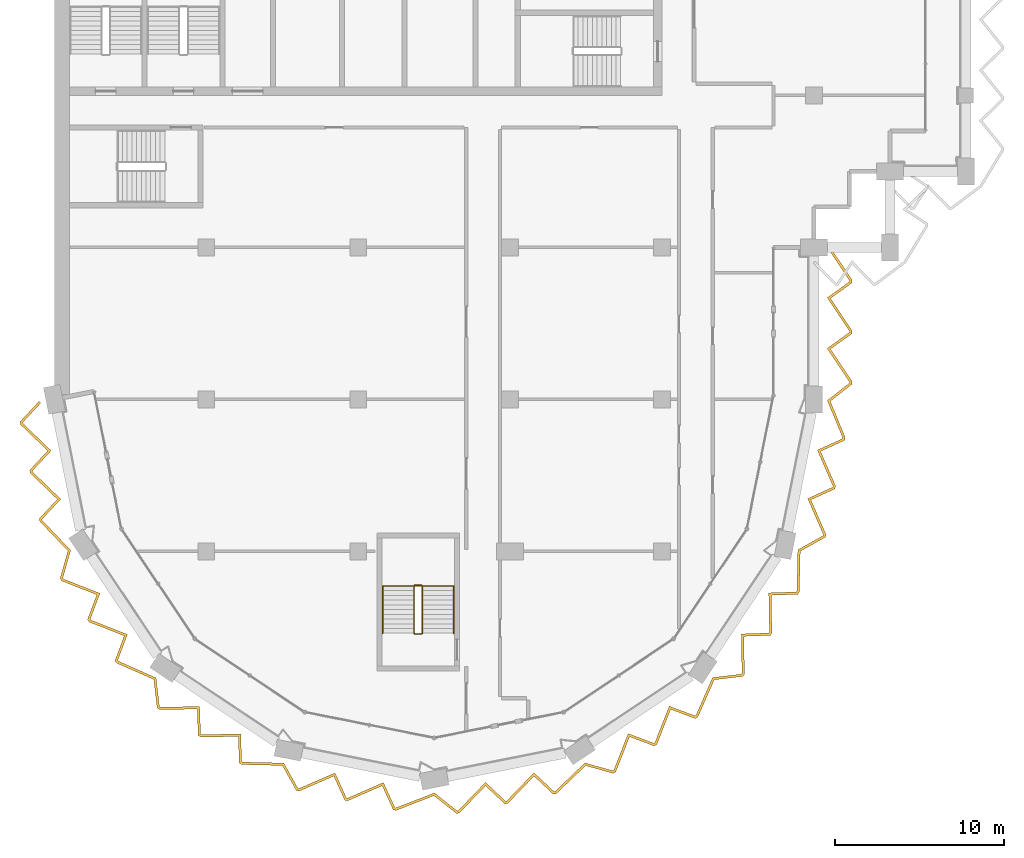
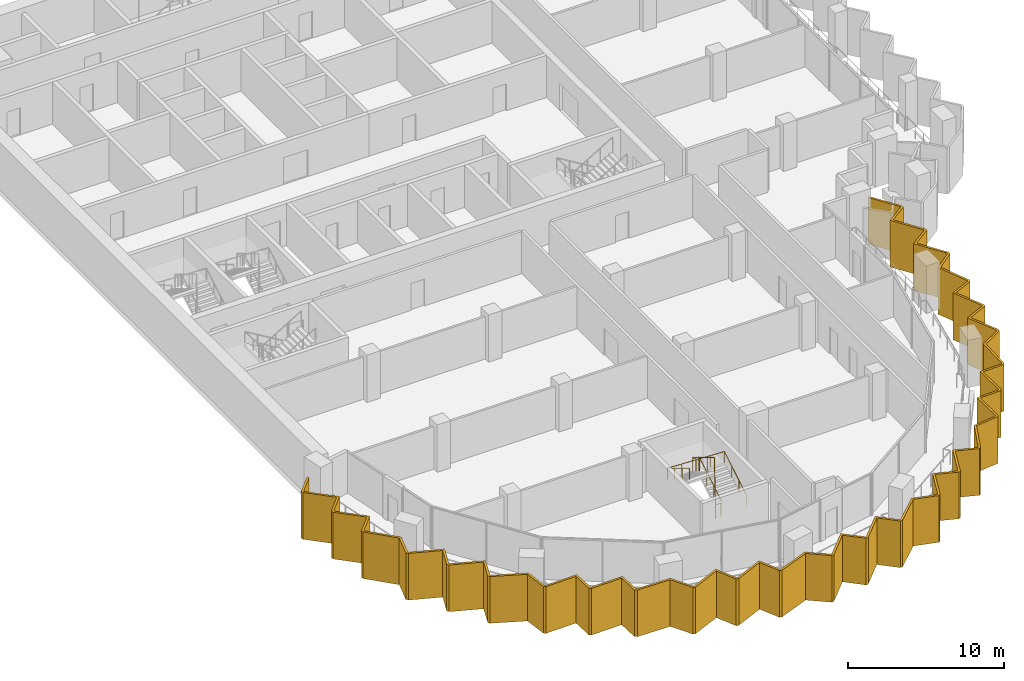
# One storey, part 13 of 16: 2 railings, 1 shading device.
"""IFC4 building model written with IfcOpenShell, lengths in metres."""

from ifc_helpers import new_model, si_unit, direction, frame, origin, origin_2d, place, context, subcontext, project, spatial, polyline, circle, outline, extrude, material, layer, layer_set, type_object, element, save


model = new_model("IFC4")

# Units and contexts
model_context = context("Model", 3, precision=1e-05, world=origin(), true_north=direction((0.0, 1.0)))
body_context = subcontext(model_context, "Body", "Model", "MODEL_VIEW")
ifc_project = project(units=[si_unit("LENGTHUNIT", "METRE"), si_unit("AREAUNIT", "SQUARE_METRE"), si_unit("VOLUMEUNIT", "CUBIC_METRE"), si_unit("PLANEANGLEUNIT", "RADIAN"), si_unit("MASSUNIT", "GRAM", prefix="KILO")], contexts=[model_context])

# Site, building, storey
site_placement = place(None, origin())
site = spatial("IfcSite", under=ifc_project, at=site_placement, CompositionType="ELEMENT")
building_placement = place(site_placement, origin())
building = spatial("IfcBuilding", under=site, at=building_placement, Name="Hunhe Ridgeline Campus", CompositionType="ELEMENT")
storey_placement = place(building_placement, frame((0.0, 0.0, 235.5)))
storey = spatial("IfcBuildingStorey", under=building, at=storey_placement, Name="L60", CompositionType="ELEMENT", Elevation=235.5)

# Shading device
ifc_material_1 = material(Name="Concrete C50", Category="concrete")
ifc_layer = layer(ifc_material_1, 0.14990234375)
ifc_layer_set = layer_set([ifc_layer], Name="Sawtooth concrete fin 150 Concrete C50")
shading_device_type = type_object("IfcShadingDeviceType", Name="Sawtooth concrete fin 150 Concrete C50", PredefinedType="USERDEFINED", material=ifc_layer_set)
shading_device_placement = place(storey_placement, frame((0.0, 0.0, -0.949951171875)))
element("IfcShadingDevice", 1, at=shading_device_placement, inside=storey, type_object=shading_device_type, Name="Concrete fin screen 1", ObjectType="FIN", PredefinedType="USERDEFINED", context=body_context, shape_type="SweptSolid", body=[
    extrude(outline(polyline([(-0.803466796875, 44.778076171875), (-0.9130859375, 44.88037109375), (-2.03173828125, 43.681640625), (-1.996337890625, 43.503173828125), (-0.392333984375, 41.956298828125), (-1.4609375, 40.8115234375), (-1.425537109375, 40.633056640625), (0.178466796875, 39.086181640625), (-0.89013671875, 37.94140625), (-0.85498046875, 37.7646484375), (0.8046875, 36.02734375), (0.342041015625, 34.390869140625), (0.441162109375, 34.242919921875), (2.514892578125, 33.427490234375), (1.9658203125, 31.9609375), (2.06689453125, 31.8095703125), (4.140625, 30.994384765625), (3.591552734375, 29.52783203125), (3.691650390625, 29.3779296875), (5.889892578125, 28.407958984375), (6.088623046875, 26.718994140625), (6.23681640625, 26.6201171875), (8.46484375, 26.660400390625), (8.518798828125, 25.095458984375), (8.669921875, 24.994384765625), (10.89794921875, 25.03466796875), (10.951904296875, 23.469482421875), (11.101806640625, 23.369384765625), (13.503662109375, 23.314453125), (14.333740234375, 21.830322265625), (14.508544921875, 21.795654296875), (16.55126953125, 22.685302734375), (17.2001953125, 21.260009765625), (17.378662109375, 21.224609375), (19.42138671875, 22.114501953125), (20.0703125, 20.689208984375), (20.2470703125, 20.654052734375), (22.487060546875, 21.5224609375), (23.822021484375, 20.468994140625), (23.996826171875, 20.503662109375), (25.543701171875, 22.107666015625), (26.6884765625, 21.0390625), (26.866943359375, 21.074462890625), (28.413818359375, 22.678466796875), (29.55859375, 21.60986328125), (29.7353515625, 21.64501953125), (31.47265625, 23.3046875), (33.109130859375, 22.842041015625), (33.257080078125, 22.941162109375), (34.072509765625, 25.014892578125), (35.5390625, 24.4658203125), (35.6904296875, 24.56689453125), (36.505615234375, 26.640625), (37.97216796875, 26.091552734375), (38.1220703125, 26.191650390625), (39.092041015625, 28.389892578125), (40.781005859375, 28.588623046875), (40.8798828125, 28.73681640625), (40.839599609375, 30.96484375), (42.404541015625, 31.018798828125), (42.505615234375, 31.169921875), (42.46533203125, 33.39794921875), (44.030517578125, 33.451904296875), (44.130615234375, 33.601806640625), (44.185546875, 36.003662109375), (45.669677734375, 36.833740234375), (45.704345703125, 37.008544921875), (44.814697265625, 39.05126953125), (46.239990234375, 39.7001953125), (46.275390625, 39.878662109375), (45.385498046875, 41.92138671875), (46.810791015625, 42.5703125), (46.84619140625, 42.747802734375), (45.9658203125, 44.889892578125), (47.25, 45.8984375), (47.25, 46.077880859375), (45.9775390625, 47.9814453125), (47.25, 48.896484375), (47.25, 49.077880859375), (45.9775390625, 50.9814453125), (47.25, 51.896484375), (47.25, 52.077880859375), (45.937255859375, 54.041748046875), (45.812744140625, 53.958251953125), (47.10009765625, 52.0322265625), (47.10009765625, 51.973388671875), (45.7724609375, 51.0185546875), (47.10009765625, 49.0322265625), (47.10009765625, 48.973388671875), (45.7724609375, 48.0185546875), (47.10009765625, 46.0322265625), (47.10009765625, 45.971435546875), (45.7841796875, 44.937744140625), (46.690185546875, 42.732666015625), (46.6787109375, 42.675048828125), (45.18896484375, 41.996826171875), (46.119140625, 39.86181640625), (46.107666015625, 39.8046875), (44.6181640625, 39.126708984375), (45.548095703125, 36.99169921875), (45.5361328125, 36.930908203125), (44.03759765625, 36.0927734375), (43.981689453125, 33.64892578125), (43.948486328125, 33.59912109375), (42.312744140625, 33.542724609375), (42.35498046875, 31.21435546875), (42.322509765625, 31.166015625), (40.68701171875, 31.109619140625), (40.72900390625, 28.781005859375), (40.694580078125, 28.7294921875), (38.989501953125, 28.52880859375), (38.00244140625, 26.292236328125), (37.952880859375, 26.259033203125), (36.420166015625, 26.832763671875), (35.56787109375, 24.66552734375), (35.51953125, 24.63330078125), (33.98681640625, 25.20703125), (33.134765625, 23.039794921875), (33.083251953125, 23.00537109375), (31.430908203125, 23.472412109375), (29.663330078125, 21.78369140625), (29.604736328125, 21.77197265625), (28.408203125, 22.888671875), (26.79150390625, 21.21240234375), (26.734619140625, 21.201171875), (25.5380859375, 22.31787109375), (23.92138671875, 20.6416015625), (23.860595703125, 20.62939453125), (22.512939453125, 21.693359375), (20.2333984375, 20.8095703125), (20.175048828125, 20.8212890625), (19.496826171875, 22.31103515625), (17.36181640625, 21.380859375), (17.3046875, 21.392333984375), (16.626708984375, 22.8818359375), (14.49169921875, 21.951904296875), (14.430908203125, 21.9638671875), (13.5927734375, 23.46240234375), (11.14892578125, 23.518310546875), (11.09912109375, 23.551513671875), (11.042724609375, 25.187255859375), (8.71435546875, 25.14501953125), (8.666015625, 25.177490234375), (8.609619140625, 26.81298828125), (6.281005859375, 26.77099609375), (6.2294921875, 26.805419921875), (6.02880859375, 28.510498046875), (3.792236328125, 29.49755859375), (3.759033203125, 29.547119140625), (4.332763671875, 31.079833984375), (2.16552734375, 31.93212890625), (2.13330078125, 31.98046875), (2.70703125, 33.51318359375), (0.539794921875, 34.365234375), (0.50537109375, 34.416748046875), (0.972412109375, 36.069091796875), (-0.71630859375, 37.836669921875), (-0.72802734375, 37.895263671875), (0.388671875, 39.091796875), (-1.28759765625, 40.70849609375), (-1.298828125, 40.765380859375), (-0.18212890625, 41.9619140625), (-1.8583984375, 43.57861328125), (-1.86962890625, 43.635498046875), (-0.803466796875, 44.778076171875)])), origin(), (0.0, 0.0, 1.0), 3.64990234375),
])

# Railings
ifc_material_2 = material(Name="Stainless steel balustrade", Category="steel")
railing_type_1 = type_object("IfcRailingType", Name="Stair guard 1100 stainless", PredefinedType="GUARDRAIL", material=ifc_material_2)
railing_1_placement = place(storey_placement, frame((21.800048828125, 31.14990234375, 0.168212890625)))
element("IfcRailing", 2, at=railing_1_placement, inside=storey, type_object=railing_type_1, Name="L60 stair W3 guard", PredefinedType="GUARDRAIL", context=body_context, shape_type="SweptSolid", body=[
    extrude(circle(Radius=0.02392578125, at=origin_2d()), frame((0.0, 0.0, 1.076171875), z_axis=(0.0, 0.857242210791, 0.514913383045), x_axis=(-1.0, 0.0, 0.0)), (0.0, 0.0, 1.0), 3.266357421875),
    extrude(circle(Radius=0.02392578125, at=origin_2d()), frame((0.0, 2.800048828125, 2.7578125), z_axis=(-0.707106781187, 0.707106781187, 0.0), x_axis=(-0.707106781187, -0.707106781187, 0.0)), (0.0, 0.0, 1.0), 0.07080078125),
    extrude(circle(Radius=0.02392578125, at=origin_2d()), frame((-0.050048828125, 2.85009765625, 2.7578125), z_axis=(-1.0, 0.0, 0.0), x_axis=(0.0, -1.0, 0.0)), (0.0, 0.0, 1.0), 0.39990234375),
    extrude(circle(Radius=0.02392578125, at=origin_2d()), frame((-0.449951171875, 2.85009765625, 2.7578125), z_axis=(-0.274582412415, -0.274582412415, 0.921525364591), x_axis=(0.707106781187, -0.707106781187, 0.0)), (0.0, 0.0, 1.0), 0.182373046875),
    extrude(circle(Radius=0.02392578125, at=origin_2d()), frame((-0.5, 2.800048828125, 2.92578125), z_axis=(0.0, -0.857242210791, 0.514913383045), x_axis=(1.0, 0.0, 0.0)), (0.0, 0.0, 1.0), 3.266357421875),
    extrude(circle(Radius=0.02392578125, at=origin_2d()), frame((-0.5, 0.0, 4.60791015625), z_axis=(0.013524426427, -0.013458453615, -0.999817963389), x_axis=(0.705375805398, 0.708833529934, 0.0)), (0.0, 0.0, 1.0), 3.70068359375),
    extrude(circle(Radius=0.02392578125, at=origin_2d()), frame((-0.449951171875, -0.0498046875, 0.90771484375), z_axis=(1.0, 0.0, 0.0), x_axis=(0.0, 1.0, 0.0)), (0.0, 0.0, 1.0), 0.39990234375),
    extrude(circle(Radius=0.02099609375, at=origin_2d()), origin(), (0.0, 0.0, 1.0), 1.052001953125),
    extrude(circle(Radius=0.02099609375, at=origin_2d()), frame((0.0, 0.933349609375, 0.560546875)), (0.0, 0.0, 1.0), 1.052001953125),
    extrude(circle(Radius=0.02099609375, at=origin_2d()), frame((0.0, 1.86669921875, 1.121337890625)), (0.0, 0.0, 1.0), 1.052001953125),
    extrude(circle(Radius=0.02099609375, at=origin_2d()), frame((0.0, 2.800048828125, 1.681884765625)), (0.0, 0.0, 1.0), 1.052001953125),
    extrude(circle(Radius=0.02099609375, at=origin_2d()), frame((-0.050048828125, 2.85009765625, 1.681884765625)), (0.0, 0.0, 1.0), 1.052001953125),
    extrude(circle(Radius=0.02099609375, at=origin_2d()), frame((-0.449951171875, 2.85009765625, 1.681884765625)), (0.0, 0.0, 1.0), 1.052001953125),
    extrude(circle(Radius=0.02099609375, at=origin_2d()), frame((-0.5, 2.800048828125, 1.849853515625)), (0.0, 0.0, 1.0), 1.052001953125),
    extrude(circle(Radius=0.02099609375, at=origin_2d()), frame((-0.5, 1.86669921875, 2.410400390625)), (0.0, 0.0, 1.0), 1.052001953125),
    extrude(circle(Radius=0.02099609375, at=origin_2d()), frame((-0.5, 0.933349609375, 2.97119140625)), (0.0, 0.0, 1.0), 1.052001953125),
    extrude(circle(Radius=0.02099609375, at=origin_2d()), frame((-0.5, 0.0, 3.53173828125)), (0.0, 0.0, 1.0), 1.052001953125),
    extrude(circle(Radius=0.02099609375, at=origin_2d()), frame((-0.487548828125, -0.012451171875, 2.606689453125)), (0.0, 0.0, 1.0), 1.052001953125),
    extrude(circle(Radius=0.02099609375, at=origin_2d()), frame((-0.47509765625, -0.02490234375, 1.681640625)), (0.0, 0.0, 1.0), 1.052001953125),
    extrude(circle(Radius=0.02099609375, at=origin_2d()), frame((-0.46240234375, -0.037353515625, 0.7568359375)), (0.0, 0.0, 1.0), 1.052001953125),
    extrude(circle(Radius=0.02099609375, at=origin_2d()), frame((-0.449951171875, -0.0498046875, -0.168212890625)), (0.0, 0.0, 1.0), 1.052001953125),
    extrude(circle(Radius=0.02099609375, at=origin_2d()), frame((-0.050048828125, -0.0498046875, -0.168212890625)), (0.0, 0.0, 1.0), 1.052001953125),
])
ifc_material_3 = material(Name="Stainless steel handrail", Category="steel")
railing_type_2 = type_object("IfcRailingType", Name="Stair handrail 900 stainless", PredefinedType="HANDRAIL", material=ifc_material_3)
railing_2_placement = place(storey_placement, frame((23.64990234375, 31.14990234375, 0.168212890625)))
element("IfcRailing", 3, at=railing_2_placement, inside=storey, type_object=railing_type_2, Name="L60 stair W3 handrail", PredefinedType="HANDRAIL", context=body_context, shape_type="SweptSolid", body=[
    extrude(circle(Radius=0.02392578125, at=origin_2d()), frame((0.0, 0.0, 0.8759765625), z_axis=(0.0, 0.857242210791, 0.514913383045), x_axis=(-1.0, 0.0, 0.0)), (0.0, 0.0, 1.0), 3.266357421875),
    extrude(circle(Radius=0.02392578125, at=origin_2d()), frame((0.0, 2.800048828125, 2.5576171875), z_axis=(-0.99920123705, 0.0, 0.039961079526), x_axis=(0.0, -1.0, 0.0)), (0.0, 0.0, 1.0), 4.203369140625),
    extrude(circle(Radius=0.02392578125, at=origin_2d()), frame((-4.199951171875, 2.800048828125, 2.7255859375), z_axis=(0.0, -0.857242210791, 0.514913383045), x_axis=(1.0, 0.0, 0.0)), (0.0, 0.0, 1.0), 3.266357421875),
    extrude(circle(Radius=0.02099609375, at=origin_2d()), origin(), (0.0, 0.0, 1.0), 0.851806640625),
    extrude(circle(Radius=0.02099609375, at=origin_2d()), frame((0.0, 0.933349609375, 0.560546875)), (0.0, 0.0, 1.0), 0.851806640625),
    extrude(circle(Radius=0.02099609375, at=origin_2d()), frame((0.0, 1.86669921875, 1.121337890625)), (0.0, 0.0, 1.0), 0.851806640625),
    extrude(circle(Radius=0.02099609375, at=origin_2d()), frame((0.0, 2.800048828125, 1.681884765625)), (0.0, 0.0, 1.0), 0.851806640625),
    extrude(circle(Radius=0.02099609375, at=origin_2d()), frame((-1.050048828125, 2.800048828125, 1.723876953125)), (0.0, 0.0, 1.0), 0.851806640625),
    extrude(circle(Radius=0.02099609375, at=origin_2d()), frame((-2.10009765625, 2.800048828125, 1.765869140625)), (0.0, 0.0, 1.0), 0.851806640625),
    extrude(circle(Radius=0.02099609375, at=origin_2d()), frame((-3.14990234375, 2.800048828125, 1.807861328125)), (0.0, 0.0, 1.0), 0.851806640625),
    extrude(circle(Radius=0.02099609375, at=origin_2d()), frame((-4.199951171875, 2.800048828125, 1.849853515625)), (0.0, 0.0, 1.0), 0.851806640625),
    extrude(circle(Radius=0.02099609375, at=origin_2d()), frame((-4.199951171875, 1.86669921875, 2.410400390625)), (0.0, 0.0, 1.0), 0.851806640625),
    extrude(circle(Radius=0.02099609375, at=origin_2d()), frame((-4.199951171875, 0.933349609375, 2.97119140625)), (0.0, 0.0, 1.0), 0.851806640625),
    extrude(circle(Radius=0.02099609375, at=origin_2d()), frame((-4.199951171875, 0.0, 3.53173828125)), (0.0, 0.0, 1.0), 0.851806640625),
])

save(model, "model.ifc")
